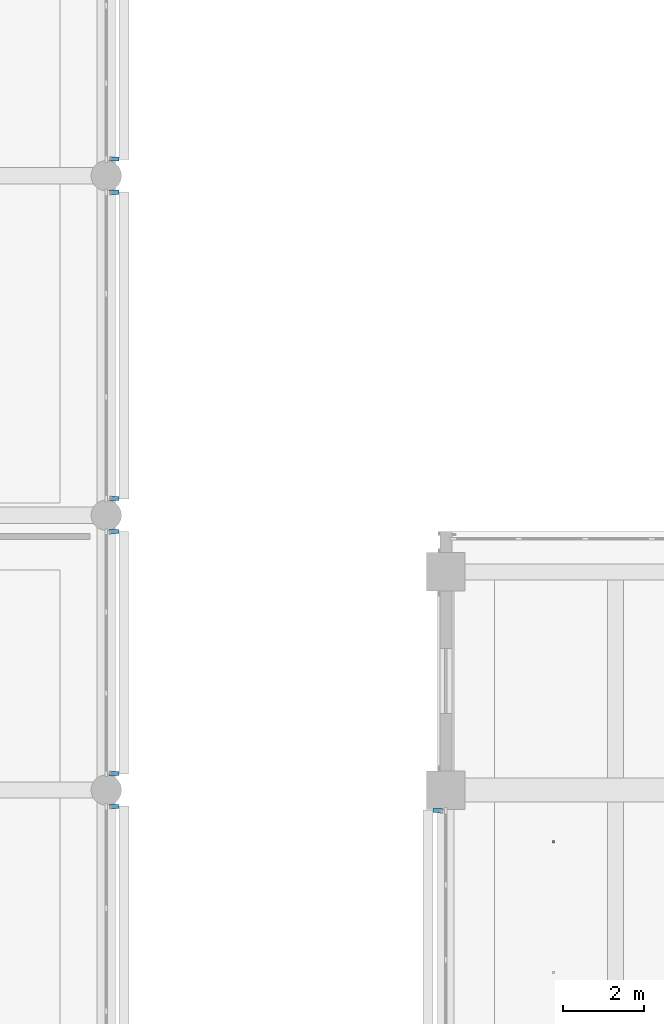
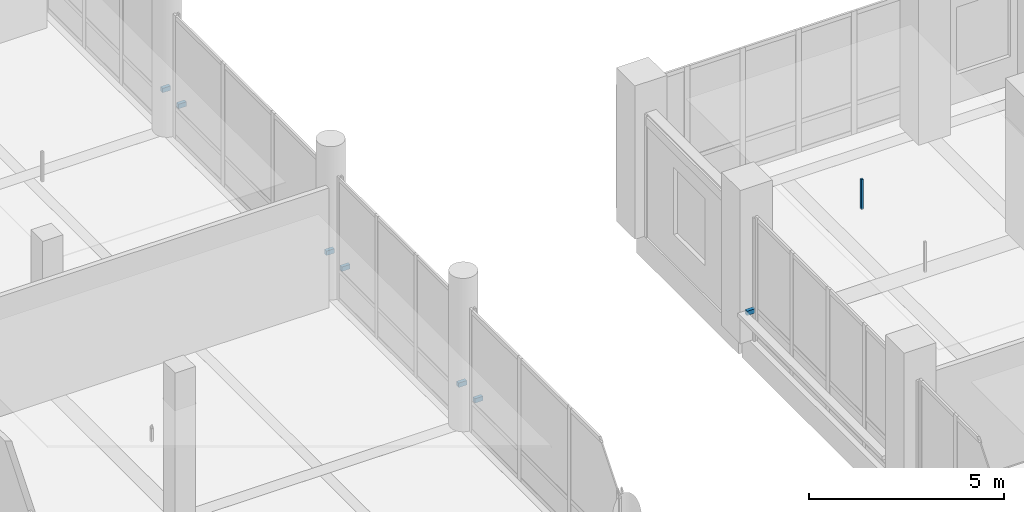
# One storey, part 72 of 122: 8 discrete accessories.
"""IFC4 building model written with IfcOpenShell, lengths in metres."""

from ifc_helpers import new_model, si_unit, direction, frame, origin, origin_2d, place, context, subcontext, project, spatial, rectangle, extrude, material, type_object, element, save


model = new_model("IFC4")

# Units and contexts
model_context = context("Model", 3, precision=1e-05, world=origin(), true_north=direction((0.0, 1.0)))
body_context = subcontext(model_context, "Body", "Model", "MODEL_VIEW")
ifc_project = project(units=[si_unit("LENGTHUNIT", "METRE"), si_unit("AREAUNIT", "SQUARE_METRE"), si_unit("VOLUMEUNIT", "CUBIC_METRE"), si_unit("PLANEANGLEUNIT", "RADIAN"), si_unit("MASSUNIT", "GRAM", prefix="KILO")], contexts=[model_context])

# Site, building, storey
site_placement = place(None, origin())
site = spatial("IfcSite", under=ifc_project, at=site_placement, CompositionType="ELEMENT")
building_placement = place(site_placement, origin())
building = spatial("IfcBuilding", under=site, at=building_placement, Name="Telukmera Botanical Conservatory", CompositionType="ELEMENT")
storey_placement = place(building_placement, frame((0.0, 0.0, 10.199951171875)))
storey = spatial("IfcBuildingStorey", under=building, at=storey_placement, Name="L02", CompositionType="ELEMENT", Elevation=10.199951171875)

# Discrete accessories
ifc_material = material(Name="Steel S355", Category="steel")
discrete_accessory_type_1 = type_object("IfcDiscreteAccessoryType", Name="ACC-CEIL-HGR", PredefinedType="BRACKET", material=ifc_material)
discrete_accessory_placement = place(storey_placement, frame((53.064208984375, 41.52490234375, 3.6201171875), z_axis=(0.0, 0.0, 1.0), x_axis=(1.0, 0.0, 0.0)))
element("IfcDiscreteAccessory", 1, at=discrete_accessory_placement, inside=storey, type_object=discrete_accessory_type_1, Name="L02 Suspended Ceiling Hanger Rod 045-2", PredefinedType="BRACKET", context=body_context, shape_type="SweptSolid", body=[
    extrude(rectangle(XDim=0.06005859375, YDim=0.06005859375, at=origin_2d()), origin(), (0.0, 0.0, 1.0), 0.93505859375),
])
discrete_accessory_type_2 = type_object("IfcDiscreteAccessoryType", Name="Structural Steel Facade Outrigger Fin Bracket", PredefinedType="BRACKET", material=ifc_material)
for number, where, z_axis, x_axis, name in (
    (2, (42.199951171875, 42.390380859375, 0.8798828125), (0.0, 0.0, 1.0), (0.0, 1.0, 0.0), "Facade Outrigger Bracket V3:L02:E3 B"),
    (3, (42.18994140625, 43.20703125, 0.8798828125), (0.0, 0.0, 1.0), (0.0, 1.0, 0.0), "Facade Outrigger Bracket V3:L02:E4 A"),
    (4, (42.18994140625, 49.193115234375, 0.8798828125), (0.0, 0.0, 1.0), (0.0, 1.0, 0.0), "Facade Outrigger Bracket V3:L02:E4 B"),
    (5, (42.199951171875, 50.009521484375, 0.8798828125), (0.0, 0.0, 1.0), (0.0, 1.0, 0.0), "Facade Outrigger Bracket V3:L02:E5 A"),
    (6, (42.199951171875, 57.590576171875, 0.8798828125), (0.0, 0.0, 1.0), (0.0, 1.0, 0.0), "Facade Outrigger Bracket V3:L02:E5 B"),
    (7, (42.199951171875, 58.409423828125, 0.8798828125), (0.0, 0.0, 1.0), (0.0, 1.0, 0.0), "Facade Outrigger Bracket V3:L02:E6 A"),
    (8, (50.199951171875, 42.29052734375, 0.8798828125), (0.0, 0.0, 1.0), (0.0, 1.0, 0.0), "Facade Outrigger Bracket V4:L02:W4 B"),
):
    element("IfcDiscreteAccessory", number, at=place(storey_placement, frame(where, z_axis=z_axis, x_axis=x_axis)), inside=storey, type_object=discrete_accessory_type_2, Name=name, PredefinedType="BRACKET", context=body_context, shape_type="SweptSolid", body=[
        extrude(rectangle(XDim=0.10009765625, YDim=0.239990234375, at=origin_2d()), origin(), (0.0, 0.0, 1.0), 0.139892578125),
    ])

save(model, "model.ifc")
